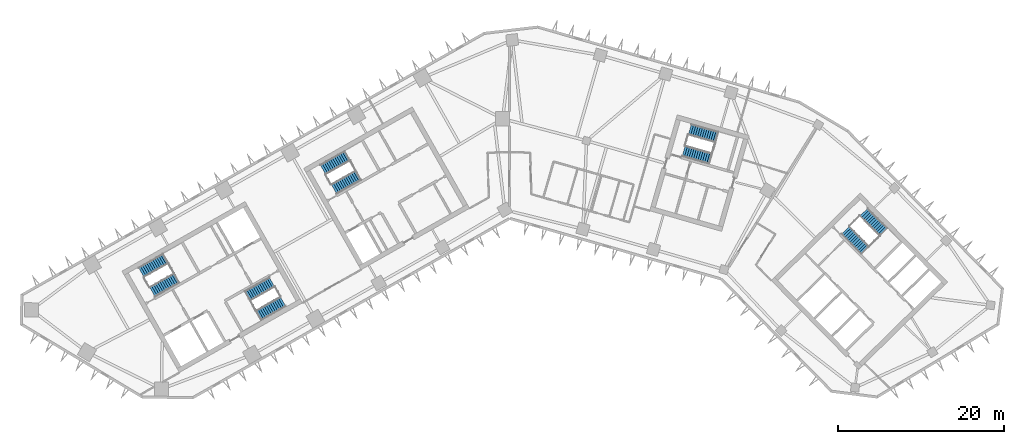
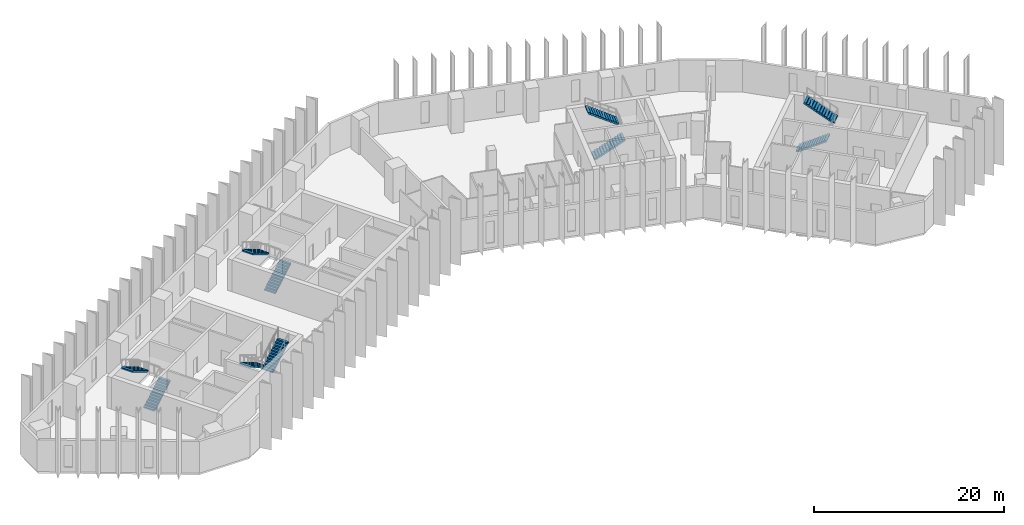
# One storey, part 8 of 11: 10 stair flights, 5 elements without a shape of their own.
"""IFC4 building model written with IfcOpenShell, lengths in metres."""

from ifc_helpers import new_model, si_unit, direction, frame, origin, place, context, subcontext, project, spatial, polyline, outline, extrude, material, type_object, element, aggregate, save


model = new_model("IFC4")

# Units and contexts
model_context = context("Model", 3, precision=1e-05, world=origin(), true_north=direction((0.0, 1.0)))
body_context = subcontext(model_context, "Body", "Model", "MODEL_VIEW")
ifc_project = project(units=[si_unit("LENGTHUNIT", "METRE"), si_unit("AREAUNIT", "SQUARE_METRE"), si_unit("VOLUMEUNIT", "CUBIC_METRE"), si_unit("PLANEANGLEUNIT", "RADIAN"), si_unit("MASSUNIT", "GRAM", prefix="KILO")], contexts=[model_context])

# Site, building, storey
site_placement = place(None, origin())
site = spatial("IfcSite", under=ifc_project, at=site_placement, CompositionType="ELEMENT")
building_placement = place(site_placement, origin())
building = spatial("IfcBuilding", under=site, at=building_placement, Name="Binnacle Exchange Tower", CompositionType="ELEMENT")
storey_placement = place(building_placement, frame((0.0, 0.0, 123.5)))
storey = spatial("IfcBuildingStorey", under=building, at=storey_placement, Name="L25", CompositionType="ELEMENT", Elevation=123.5)

# Stair, stair flights
ifc_material = material(Name="Concrete C35/45", Category="concrete")
stair_type = type_object("IfcStairType", Name="STAIR 26 RISERS 169", PredefinedType="HALF_TURN_STAIR", material=ifc_material)
stair_1_placement = place(storey_placement, origin())
stair_1 = element("IfcStair", 1, at=stair_1_placement, inside=storey, type_object=stair_type, Name="L25 Escape stair A1", PredefinedType="HALF_TURN_STAIR")
stair_flight_type = type_object("IfcStairFlightType", Name="STAIR FLIGHT 169X280", PredefinedType="STRAIGHT", material=ifc_material)
stair_flight_1_placement = place(storey_placement, frame((-42.9541015625, 39.17333984375, 0.0), z_axis=(0.0, 0.0, 1.0), x_axis=(0.870355584213, 0.492423757581, 0.0)))
stair_flight_1 = element("IfcStairFlight", 2, at=stair_flight_1_placement, type_object=stair_flight_type, Name="STA1 flight 1", NumberOfRisers=13, NumberOfTreads=12, PredefinedType="STRAIGHT", RiserHeight=0.169230769, TreadLength=0.28, context=body_context, shape_type="SweptSolid", body=[
    extrude(outline(polyline([(0.0, 0.0), (0.0, 0.169189453125), (0.280029296875, 0.169189453125), (0.280029296875, 0.33837890625), (0.56005859375, 0.33837890625), (0.56005859375, 0.5078125), (0.840087890625, 0.5078125), (0.840087890625, 0.677001953125), (1.1201171875, 0.677001953125), (1.1201171875, 0.84619140625), (1.39990234375, 0.84619140625), (1.39990234375, 1.015380859375), (1.679931640625, 1.015380859375), (1.679931640625, 1.1845703125), (1.9599609375, 1.1845703125), (1.9599609375, 1.353759765625), (2.239990234375, 1.353759765625), (2.239990234375, 1.523193359375), (2.52001953125, 1.523193359375), (2.52001953125, 1.6923828125), (2.800048828125, 1.6923828125), (2.800048828125, 1.861572265625), (3.080078125, 1.861572265625), (3.080078125, 2.03076171875), (3.360107421875, 2.03076171875), (3.360107421875, 2.199951171875), (3.360107421875, 1.855712890625), (0.289794921875, 0.0), (0.0, 0.0)])), frame((0.0, 0.675048828125, 0.0), z_axis=(0.0, -1.0, 0.0), x_axis=(1.0, 0.0, 0.0)), (0.0, 0.0, 1.0), 1.35009765625),
])
stair_flight_2_placement = place(storey_placement, frame((-41.359130859375, 43.177978515625, 2.199951171875), z_axis=(0.0, 0.0, 1.0), x_axis=(-0.870355584213, -0.492423757581, 0.0)))
stair_flight_2 = element("IfcStairFlight", 3, at=stair_flight_2_placement, type_object=stair_flight_type, Name="STA1 flight 2", NumberOfRisers=13, NumberOfTreads=12, PredefinedType="STRAIGHT", RiserHeight=0.169230769, TreadLength=0.28, context=body_context, shape_type="SweptSolid", body=[
    extrude(outline(polyline([(0.0, 0.0), (0.0, 0.169189453125), (0.280029296875, 0.169189453125), (0.280029296875, 0.33837890625), (0.56005859375, 0.33837890625), (0.56005859375, 0.5078125), (0.840087890625, 0.5078125), (0.840087890625, 0.677001953125), (1.1201171875, 0.677001953125), (1.1201171875, 0.84619140625), (1.39990234375, 0.84619140625), (1.39990234375, 1.015380859375), (1.679931640625, 1.015380859375), (1.679931640625, 1.1845703125), (1.9599609375, 1.1845703125), (1.9599609375, 1.353759765625), (2.239990234375, 1.353759765625), (2.239990234375, 1.523193359375), (2.52001953125, 1.523193359375), (2.52001953125, 1.6923828125), (2.800048828125, 1.6923828125), (2.800048828125, 1.861572265625), (3.080078125, 1.861572265625), (3.080078125, 2.03076171875), (3.360107421875, 2.03076171875), (3.360107421875, 2.199951171875), (3.360107421875, 1.855712890625), (0.289794921875, 0.0), (0.0, 0.0)])), frame((0.0, 0.675048828125, 0.0), z_axis=(0.0, -1.0, 0.0), x_axis=(1.0, 0.0, 0.0)), (0.0, 0.0, 1.0), 1.35009765625),
])
aggregate(stair_1, [stair_flight_1, stair_flight_2])

stair_2_placement = place(storey_placement, origin())
stair_2 = element("IfcStair", 4, at=stair_2_placement, inside=storey, type_object=stair_type, Name="L25 Escape stair A2", PredefinedType="HALF_TURN_STAIR")
stair_flight_3_placement = place(storey_placement, frame((-28.5732421875, 40.3583984375, 0.0), z_axis=(0.0, 0.0, 1.0), x_axis=(-0.870355584213, -0.492423757581, 0.0)))
stair_flight_3 = element("IfcStairFlight", 5, at=stair_flight_3_placement, type_object=stair_flight_type, Name="STA2 flight 1", NumberOfRisers=13, NumberOfTreads=12, PredefinedType="STRAIGHT", RiserHeight=0.169230769, TreadLength=0.28, context=body_context, shape_type="SweptSolid", body=[
    extrude(outline(polyline([(0.0, 0.0), (0.0, 0.169189453125), (0.280029296875, 0.169189453125), (0.280029296875, 0.33837890625), (0.56005859375, 0.33837890625), (0.56005859375, 0.5078125), (0.840087890625, 0.5078125), (0.840087890625, 0.677001953125), (1.1201171875, 0.677001953125), (1.1201171875, 0.84619140625), (1.39990234375, 0.84619140625), (1.39990234375, 1.015380859375), (1.679931640625, 1.015380859375), (1.679931640625, 1.1845703125), (1.9599609375, 1.1845703125), (1.9599609375, 1.353759765625), (2.239990234375, 1.353759765625), (2.239990234375, 1.523193359375), (2.52001953125, 1.523193359375), (2.52001953125, 1.6923828125), (2.800048828125, 1.6923828125), (2.800048828125, 1.861572265625), (3.080078125, 1.861572265625), (3.080078125, 2.03076171875), (3.360107421875, 2.03076171875), (3.360107421875, 2.199951171875), (3.360107421875, 1.855712890625), (0.289794921875, 0.0), (0.0, 0.0)])), frame((0.0, 0.675048828125, 0.0), z_axis=(0.0, -1.0, 0.0), x_axis=(1.0, 0.0, 0.0)), (0.0, 0.0, 1.0), 1.35009765625),
])
stair_flight_4_placement = place(storey_placement, frame((-30.16796875, 36.35400390625, 2.199951171875), z_axis=(0.0, 0.0, 1.0), x_axis=(0.870355584213, 0.492423757581, 0.0)))
stair_flight_4 = element("IfcStairFlight", 6, at=stair_flight_4_placement, type_object=stair_flight_type, Name="STA2 flight 2", NumberOfRisers=13, NumberOfTreads=12, PredefinedType="STRAIGHT", RiserHeight=0.169230769, TreadLength=0.28, context=body_context, shape_type="SweptSolid", body=[
    extrude(outline(polyline([(0.0, 0.0), (0.0, 0.169189453125), (0.280029296875, 0.169189453125), (0.280029296875, 0.33837890625), (0.56005859375, 0.33837890625), (0.56005859375, 0.5078125), (0.840087890625, 0.5078125), (0.840087890625, 0.677001953125), (1.1201171875, 0.677001953125), (1.1201171875, 0.84619140625), (1.39990234375, 0.84619140625), (1.39990234375, 1.015380859375), (1.679931640625, 1.015380859375), (1.679931640625, 1.1845703125), (1.9599609375, 1.1845703125), (1.9599609375, 1.353759765625), (2.239990234375, 1.353759765625), (2.239990234375, 1.523193359375), (2.52001953125, 1.523193359375), (2.52001953125, 1.6923828125), (2.800048828125, 1.6923828125), (2.800048828125, 1.861572265625), (3.080078125, 1.861572265625), (3.080078125, 2.03076171875), (3.360107421875, 2.03076171875), (3.360107421875, 2.199951171875), (3.360107421875, 1.855712890625), (0.289794921875, 0.0), (0.0, 0.0)])), frame((0.0, 0.675048828125, 0.0), z_axis=(0.0, -1.0, 0.0), x_axis=(1.0, 0.0, 0.0)), (0.0, 0.0, 1.0), 1.35009765625),
])
aggregate(stair_2, [stair_flight_3, stair_flight_4])

stair_3_placement = place(storey_placement, origin())
stair_3 = element("IfcStair", 7, at=stair_3_placement, inside=storey, type_object=stair_type, Name="L25 Escape stair B1", PredefinedType="HALF_TURN_STAIR")
stair_flight_5_placement = place(storey_placement, frame((40.376708984375, 46.608642578125, 0.0), z_axis=(0.0, 0.0, 1.0), x_axis=(0.70090935144, -0.713250363522, 0.0)))
stair_flight_5 = element("IfcStairFlight", 8, at=stair_flight_5_placement, type_object=stair_flight_type, Name="STB1 flight 1", NumberOfRisers=13, NumberOfTreads=12, PredefinedType="STRAIGHT", RiserHeight=0.169230769, TreadLength=0.28, context=body_context, shape_type="SweptSolid", body=[
    extrude(outline(polyline([(0.0, 0.0), (0.0, 0.169189453125), (0.280029296875, 0.169189453125), (0.280029296875, 0.33837890625), (0.56005859375, 0.33837890625), (0.56005859375, 0.5078125), (0.840087890625, 0.5078125), (0.840087890625, 0.677001953125), (1.1201171875, 0.677001953125), (1.1201171875, 0.84619140625), (1.39990234375, 0.84619140625), (1.39990234375, 1.015380859375), (1.679931640625, 1.015380859375), (1.679931640625, 1.1845703125), (1.9599609375, 1.1845703125), (1.9599609375, 1.353759765625), (2.239990234375, 1.353759765625), (2.239990234375, 1.523193359375), (2.52001953125, 1.523193359375), (2.52001953125, 1.6923828125), (2.800048828125, 1.6923828125), (2.800048828125, 1.861572265625), (3.080078125, 1.861572265625), (3.080078125, 2.03076171875), (3.360107421875, 2.03076171875), (3.360107421875, 2.199951171875), (3.360107421875, 1.855712890625), (0.289794921875, 0.0), (0.0, 0.0)])), frame((0.0, 0.675048828125, 0.0), z_axis=(0.0, -1.0, 0.0), x_axis=(1.0, 0.0, 0.0)), (0.0, 0.0, 1.0), 1.35009765625),
])
stair_flight_6_placement = place(storey_placement, frame((44.94287109375, 46.385009765625, 2.199951171875), z_axis=(0.0, 0.0, 1.0), x_axis=(-0.70090935144, 0.713250363522, 0.0)))
stair_flight_6 = element("IfcStairFlight", 9, at=stair_flight_6_placement, type_object=stair_flight_type, Name="STB1 flight 2", NumberOfRisers=13, NumberOfTreads=12, PredefinedType="STRAIGHT", RiserHeight=0.169230769, TreadLength=0.28, context=body_context, shape_type="SweptSolid", body=[
    extrude(outline(polyline([(0.0, 0.0), (0.0, 0.169189453125), (0.280029296875, 0.169189453125), (0.280029296875, 0.33837890625), (0.56005859375, 0.33837890625), (0.56005859375, 0.5078125), (0.840087890625, 0.5078125), (0.840087890625, 0.677001953125), (1.1201171875, 0.677001953125), (1.1201171875, 0.84619140625), (1.39990234375, 0.84619140625), (1.39990234375, 1.015380859375), (1.679931640625, 1.015380859375), (1.679931640625, 1.1845703125), (1.9599609375, 1.1845703125), (1.9599609375, 1.353759765625), (2.239990234375, 1.353759765625), (2.239990234375, 1.523193359375), (2.52001953125, 1.523193359375), (2.52001953125, 1.6923828125), (2.800048828125, 1.6923828125), (2.800048828125, 1.861572265625), (3.080078125, 1.861572265625), (3.080078125, 2.03076171875), (3.360107421875, 2.03076171875), (3.360107421875, 2.199951171875), (3.360107421875, 1.855712890625), (0.289794921875, 0.0), (0.0, 0.0)])), frame((0.0, 0.675048828125, 0.0), z_axis=(0.0, -1.0, 0.0), x_axis=(1.0, 0.0, 0.0)), (0.0, 0.0, 1.0), 1.35009765625),
])
aggregate(stair_3, [stair_flight_5, stair_flight_6])

stair_4_placement = place(storey_placement, origin())
stair_4 = element("IfcStair", 10, at=stair_4_placement, inside=storey, type_object=stair_type, Name="L25 Escape stair C1", PredefinedType="HALF_TURN_STAIR")
stair_flight_7_placement = place(storey_placement, frame((-21.115966796875, 51.528564453125, 0.0), z_axis=(0.0, 0.0, 1.0), x_axis=(0.870355584213, 0.492423757581, 0.0)))
stair_flight_7 = element("IfcStairFlight", 11, at=stair_flight_7_placement, type_object=stair_flight_type, Name="STC1 flight 1", NumberOfRisers=13, NumberOfTreads=12, PredefinedType="STRAIGHT", RiserHeight=0.169230769, TreadLength=0.28, context=body_context, shape_type="SweptSolid", body=[
    extrude(outline(polyline([(0.0, 0.0), (0.0, 0.169189453125), (0.280029296875, 0.169189453125), (0.280029296875, 0.33837890625), (0.56005859375, 0.33837890625), (0.56005859375, 0.5078125), (0.840087890625, 0.5078125), (0.840087890625, 0.677001953125), (1.1201171875, 0.677001953125), (1.1201171875, 0.84619140625), (1.39990234375, 0.84619140625), (1.39990234375, 1.015380859375), (1.679931640625, 1.015380859375), (1.679931640625, 1.1845703125), (1.9599609375, 1.1845703125), (1.9599609375, 1.353759765625), (2.239990234375, 1.353759765625), (2.239990234375, 1.523193359375), (2.52001953125, 1.523193359375), (2.52001953125, 1.6923828125), (2.800048828125, 1.6923828125), (2.800048828125, 1.861572265625), (3.080078125, 1.861572265625), (3.080078125, 2.03076171875), (3.360107421875, 2.03076171875), (3.360107421875, 2.199951171875), (3.360107421875, 1.855712890625), (0.289794921875, 0.0), (0.0, 0.0)])), frame((0.0, 0.675048828125, 0.0), z_axis=(0.0, -1.0, 0.0), x_axis=(1.0, 0.0, 0.0)), (0.0, 0.0, 1.0), 1.35009765625),
])
stair_flight_8_placement = place(storey_placement, frame((-19.521240234375, 55.533203125, 2.199951171875), z_axis=(0.0, 0.0, 1.0), x_axis=(-0.870355584213, -0.492423757581, 0.0)))
stair_flight_8 = element("IfcStairFlight", 12, at=stair_flight_8_placement, type_object=stair_flight_type, Name="STC1 flight 2", NumberOfRisers=13, NumberOfTreads=12, PredefinedType="STRAIGHT", RiserHeight=0.169230769, TreadLength=0.28, context=body_context, shape_type="SweptSolid", body=[
    extrude(outline(polyline([(0.0, 0.0), (0.0, 0.169189453125), (0.280029296875, 0.169189453125), (0.280029296875, 0.33837890625), (0.56005859375, 0.33837890625), (0.56005859375, 0.5078125), (0.840087890625, 0.5078125), (0.840087890625, 0.677001953125), (1.1201171875, 0.677001953125), (1.1201171875, 0.84619140625), (1.39990234375, 0.84619140625), (1.39990234375, 1.015380859375), (1.679931640625, 1.015380859375), (1.679931640625, 1.1845703125), (1.9599609375, 1.1845703125), (1.9599609375, 1.353759765625), (2.239990234375, 1.353759765625), (2.239990234375, 1.523193359375), (2.52001953125, 1.523193359375), (2.52001953125, 1.6923828125), (2.800048828125, 1.6923828125), (2.800048828125, 1.861572265625), (3.080078125, 1.861572265625), (3.080078125, 2.03076171875), (3.360107421875, 2.03076171875), (3.360107421875, 2.199951171875), (3.360107421875, 1.855712890625), (0.289794921875, 0.0), (0.0, 0.0)])), frame((0.0, 0.675048828125, 0.0), z_axis=(0.0, -1.0, 0.0), x_axis=(1.0, 0.0, 0.0)), (0.0, 0.0, 1.0), 1.35009765625),
])
aggregate(stair_4, [stair_flight_7, stair_flight_8])

stair_5_placement = place(storey_placement, origin())
stair_5 = element("IfcStair", 13, at=stair_5_placement, inside=storey, type_object=stair_type, Name="L25 Escape stair D1", PredefinedType="HALF_TURN_STAIR")
stair_flight_9_placement = place(storey_placement, frame((20.914306640625, 56.109619140625, 0.0), z_axis=(0.0, 0.0, 1.0), x_axis=(0.961261811397, -0.275636953165, 0.0)))
stair_flight_9 = element("IfcStairFlight", 14, at=stair_flight_9_placement, type_object=stair_flight_type, Name="STD1 flight 1", NumberOfRisers=13, NumberOfTreads=12, PredefinedType="STRAIGHT", RiserHeight=0.169230769, TreadLength=0.28, context=body_context, shape_type="SweptSolid", body=[
    extrude(outline(polyline([(0.0, 0.0), (0.0, 0.169189453125), (0.280029296875, 0.169189453125), (0.280029296875, 0.33837890625), (0.56005859375, 0.33837890625), (0.56005859375, 0.5078125), (0.840087890625, 0.5078125), (0.840087890625, 0.677001953125), (1.1201171875, 0.677001953125), (1.1201171875, 0.84619140625), (1.39990234375, 0.84619140625), (1.39990234375, 1.015380859375), (1.679931640625, 1.015380859375), (1.679931640625, 1.1845703125), (1.9599609375, 1.1845703125), (1.9599609375, 1.353759765625), (2.239990234375, 1.353759765625), (2.239990234375, 1.523193359375), (2.52001953125, 1.523193359375), (2.52001953125, 1.6923828125), (2.800048828125, 1.6923828125), (2.800048828125, 1.861572265625), (3.080078125, 1.861572265625), (3.080078125, 2.03076171875), (3.360107421875, 2.03076171875), (3.360107421875, 2.199951171875), (3.360107421875, 1.855712890625), (0.289794921875, 0.0), (0.0, 0.0)])), frame((0.0, 0.675048828125, 0.0), z_axis=(0.0, -1.0, 0.0), x_axis=(1.0, 0.0, 0.0)), (0.0, 0.0, 1.0), 1.35009765625),
])
stair_flight_10_placement = place(storey_placement, frame((24.888427734375, 57.77880859375, 2.199951171875), z_axis=(0.0, 0.0, 1.0), x_axis=(-0.961261811397, 0.275636953165, 0.0)))
stair_flight_10 = element("IfcStairFlight", 15, at=stair_flight_10_placement, type_object=stair_flight_type, Name="STD1 flight 2", NumberOfRisers=13, NumberOfTreads=12, PredefinedType="STRAIGHT", RiserHeight=0.169230769, TreadLength=0.28, context=body_context, shape_type="SweptSolid", body=[
    extrude(outline(polyline([(0.0, 0.0), (0.0, 0.169189453125), (0.280029296875, 0.169189453125), (0.280029296875, 0.33837890625), (0.56005859375, 0.33837890625), (0.56005859375, 0.5078125), (0.840087890625, 0.5078125), (0.840087890625, 0.677001953125), (1.1201171875, 0.677001953125), (1.1201171875, 0.84619140625), (1.39990234375, 0.84619140625), (1.39990234375, 1.015380859375), (1.679931640625, 1.015380859375), (1.679931640625, 1.1845703125), (1.9599609375, 1.1845703125), (1.9599609375, 1.353759765625), (2.239990234375, 1.353759765625), (2.239990234375, 1.523193359375), (2.52001953125, 1.523193359375), (2.52001953125, 1.6923828125), (2.800048828125, 1.6923828125), (2.800048828125, 1.861572265625), (3.080078125, 1.861572265625), (3.080078125, 2.03076171875), (3.360107421875, 2.03076171875), (3.360107421875, 2.199951171875), (3.360107421875, 1.855712890625), (0.289794921875, 0.0), (0.0, 0.0)])), frame((0.0, 0.675048828125, 0.0), z_axis=(0.0, -1.0, 0.0), x_axis=(1.0, 0.0, 0.0)), (0.0, 0.0, 1.0), 1.35009765625),
])
aggregate(stair_5, [stair_flight_9, stair_flight_10])

save(model, "model.ifc")
